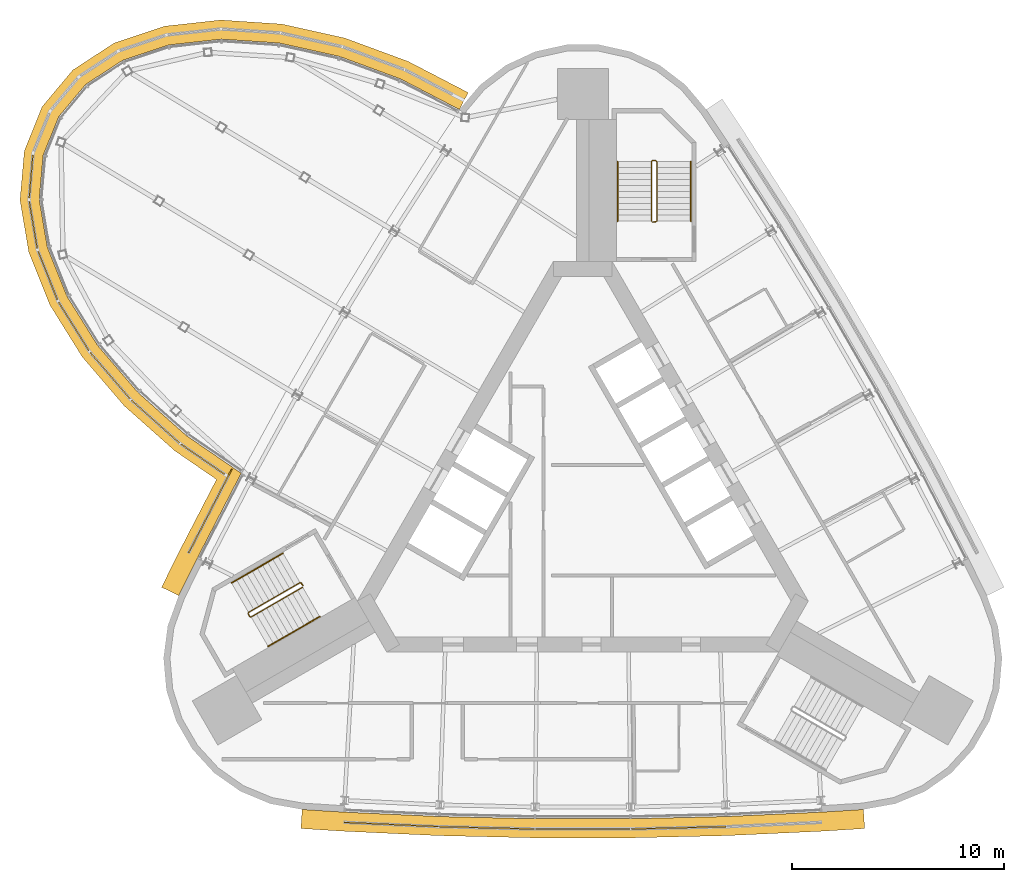
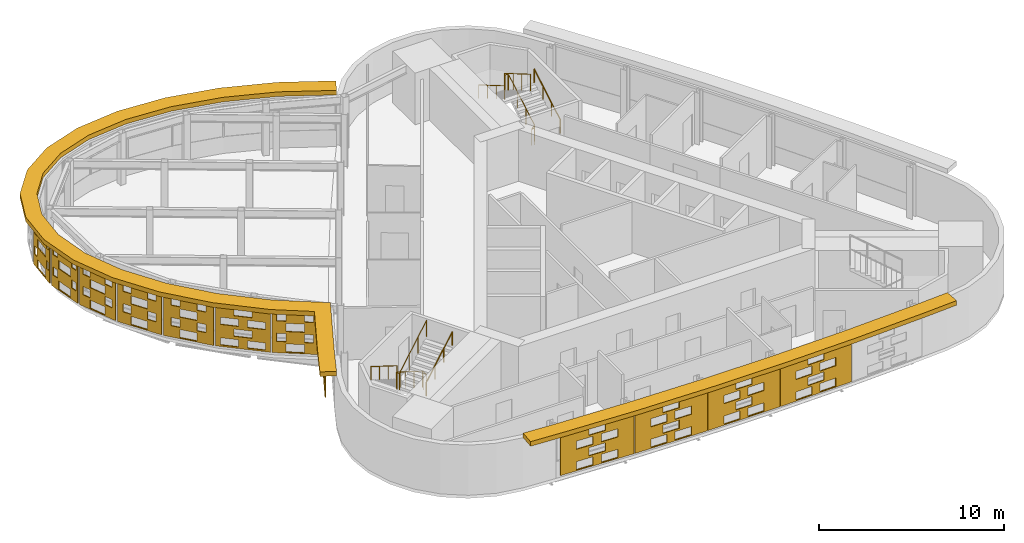
# One storey, part 12 of 13: 14 shading devices, 6 railings.
"""IFC4 building model written with IfcOpenShell, lengths in metres."""

from ifc_helpers import new_model, si_unit, direction, frame, origin, origin_2d, place, context, subcontext, project, spatial, polyline, circle, outline, extrude, material, layer, layer_set, material_profile, profile_set, type_object, element, save


model = new_model("IFC4")

# Units and contexts
model_context = context("Model", 3, precision=1e-05, world=origin(), true_north=direction((0.0, 1.0)))
body_context = subcontext(model_context, "Body", "Model", "MODEL_VIEW")
ifc_project = project(units=[si_unit("LENGTHUNIT", "METRE"), si_unit("AREAUNIT", "SQUARE_METRE"), si_unit("VOLUMEUNIT", "CUBIC_METRE"), si_unit("PLANEANGLEUNIT", "RADIAN"), si_unit("MASSUNIT", "GRAM", prefix="KILO")], contexts=[model_context])

# Site, building, storey
site_placement = place(None, origin())
site = spatial("IfcSite", under=ifc_project, at=site_placement, CompositionType="ELEMENT")
building_placement = place(site_placement, origin())
building = spatial("IfcBuilding", under=site, at=building_placement, Name="Noor Cloister Tower", CompositionType="ELEMENT")
storey_placement = place(building_placement, frame((0.0, 0.0, 270.60009765625)))
storey = spatial("IfcBuildingStorey", under=building, at=storey_placement, Name="L69", CompositionType="ELEMENT", Elevation=270.60009765625)

# Shading devices
ifc_material_1 = material(Name="Limestone", Category="masonry")
ifc_material_profile = material_profile(ifc_material_1, outline(polyline([(-2.22998046875, -1.35009765625), (2.22998046875, -1.35009765625), (2.22998046875, 1.35009765625), (-2.22998046875, 1.35009765625), (-2.22998046875, -1.35009765625)]), holes=[polyline([(-1.25, -1.282470703125), (-0.25, -1.282470703125), (-0.25, -0.742431640625), (-1.25, -0.742431640625), (-1.25, -1.282470703125)]), polyline([(0.25, -1.282470703125), (1.25, -1.282470703125), (1.25, -0.742431640625), (0.25, -0.742431640625), (0.25, -1.282470703125)]), polyline([(-0.5, -0.607421875), (0.5, -0.607421875), (0.5, -0.0673828125), (-0.5, -0.0673828125), (-0.5, -0.607421875)]), polyline([(-1.25, 0.0673828125), (-0.25, 0.0673828125), (-0.25, 0.607421875), (-1.25, 0.607421875), (-1.25, 0.0673828125)]), polyline([(0.25, 0.0673828125), (1.25, 0.0673828125), (1.25, 0.607421875), (0.25, 0.607421875), (0.25, 0.0673828125)]), polyline([(-0.5, 0.742431640625), (0.5, 0.742431640625), (0.5, 1.282470703125), (-0.5, 1.282470703125), (-0.5, 0.742431640625)])]), Name="Woven screen 35 percent open")
ifc_profile_set = profile_set([ifc_material_profile], Name="Limestone")
shading_device_type_1 = type_object("IfcShadingDeviceType", Name="SCREEN woven limestone 35 percent open", PredefinedType="USERDEFINED", material=ifc_profile_set)
shading_device_1_placement = place(storey_placement, frame((-17.51123046875, -0.3017578125, 1.849853515625), z_axis=(-0.888674000225, 0.458539552628, 0.0), x_axis=(-0.458539552628, -0.888674000225, 0.0)))
element("IfcShadingDevice", 1, at=shading_device_1_placement, inside=storey, type_object=shading_device_type_1, Name="SCREEN L69 17", ObjectType="SCREEN", PredefinedType="USERDEFINED", context=body_context, shape_type="SweptSolid", body=[
    extrude(outline(polyline([(-2.22998046875, -1.35009765625), (2.22998046875, -1.35009765625), (2.22998046875, 1.35009765625), (-2.22998046875, 1.35009765625), (-2.22998046875, -1.35009765625)]), holes=[polyline([(-1.25, -1.282470703125), (-0.25, -1.282470703125), (-0.25, -0.742431640625), (-1.25, -0.742431640625), (-1.25, -1.282470703125)]), polyline([(0.25, -1.282470703125), (1.25, -1.282470703125), (1.25, -0.742431640625), (0.25, -0.742431640625), (0.25, -1.282470703125)]), polyline([(-0.5, -0.607421875), (0.5, -0.607421875), (0.5, -0.0673828125), (-0.5, -0.0673828125), (-0.5, -0.607421875)]), polyline([(-1.25, 0.0673828125), (-0.25, 0.0673828125), (-0.25, 0.607421875), (-1.25, 0.607421875), (-1.25, 0.0673828125)]), polyline([(0.25, 0.0673828125), (1.25, 0.0673828125), (1.25, 0.607421875), (0.25, 0.607421875), (0.25, 0.0673828125)]), polyline([(-0.5, 0.742431640625), (0.5, 0.742431640625), (0.5, 1.282470703125), (-0.5, 1.282470703125), (-0.5, 0.742431640625)])]), origin(), (0.0, 0.0, 1.0), 0.06005859375),
])
shading_device_2_placement = place(storey_placement, frame((-9.01708984375, -15.014404296875, 1.849853515625), z_axis=(-0.044852774233, -0.998993607909, 0.0), x_axis=(0.998993607909, -0.044852774233, 0.0)))
element("IfcShadingDevice", 2, at=shading_device_2_placement, inside=storey, type_object=shading_device_type_1, Name="SCREEN L69 1", ObjectType="SCREEN", PredefinedType="USERDEFINED", context=body_context, shape_type="SweptSolid", body=[
    extrude(outline(polyline([(-2.22998046875, -1.35009765625), (2.22998046875, -1.35009765625), (2.22998046875, 1.35009765625), (-2.22998046875, 1.35009765625), (-2.22998046875, -1.35009765625)]), holes=[polyline([(-1.25, -1.282470703125), (-0.25, -1.282470703125), (-0.25, -0.742431640625), (-1.25, -0.742431640625), (-1.25, -1.282470703125)]), polyline([(0.25, -1.282470703125), (1.25, -1.282470703125), (1.25, -0.742431640625), (0.25, -0.742431640625), (0.25, -1.282470703125)]), polyline([(-0.5, -0.607421875), (0.5, -0.607421875), (0.5, -0.0673828125), (-0.5, -0.0673828125), (-0.5, -0.607421875)]), polyline([(-1.25, 0.0673828125), (-0.25, 0.0673828125), (-0.25, 0.607421875), (-1.25, 0.607421875), (-1.25, 0.0673828125)]), polyline([(0.25, 0.0673828125), (1.25, 0.0673828125), (1.25, 0.607421875), (0.25, 0.607421875), (0.25, 0.0673828125)]), polyline([(-0.5, 0.742431640625), (0.5, 0.742431640625), (0.5, 1.282470703125), (-0.5, 1.282470703125), (-0.5, 0.742431640625)])]), origin(), (0.0, 0.0, 1.0), 0.059814453125),
])
for number, where, z_axis, x_axis, name in (
    (3, (-4.509765625, -15.171142578125, 1.849853515625), (-0.024382992455, -0.999702690643, 0.0), (0.999702690643, -0.024382992455, 0.0), "SCREEN L69 2"),
    (4, (0.0, -15.223388671875, 1.849853515625), (0.0, -1.0, 0.0), (1.0, 0.0, 0.0), "SCREEN L69 3"),
    (5, (4.509765625, -15.171142578125, 1.849853515625), (0.024382992455, -0.999702690643, 0.0), (0.999702690643, 0.024382992455, 0.0), "SCREEN L69 4"),
):
    element("IfcShadingDevice", number, at=place(storey_placement, frame(where, z_axis=z_axis, x_axis=x_axis)), inside=storey, type_object=shading_device_type_1, Name=name, ObjectType="SCREEN", PredefinedType="USERDEFINED", context=body_context, shape_type="SweptSolid", body=[
        extrude(outline(polyline([(-2.22998046875, -1.35009765625), (2.22998046875, -1.35009765625), (2.22998046875, 1.35009765625), (-2.22998046875, 1.35009765625), (-2.22998046875, -1.35009765625)]), holes=[polyline([(-1.25, -1.282470703125), (-0.25, -1.282470703125), (-0.25, -0.742431640625), (-1.25, -0.742431640625), (-1.25, -1.282470703125)]), polyline([(0.25, -1.282470703125), (1.25, -1.282470703125), (1.25, -0.742431640625), (0.25, -0.742431640625), (0.25, -1.282470703125)]), polyline([(-0.5, -0.607421875), (0.5, -0.607421875), (0.5, -0.0673828125), (-0.5, -0.0673828125), (-0.5, -0.607421875)]), polyline([(-1.25, 0.0673828125), (-0.25, 0.0673828125), (-0.25, 0.607421875), (-1.25, 0.607421875), (-1.25, 0.0673828125)]), polyline([(0.25, 0.0673828125), (1.25, 0.0673828125), (1.25, 0.607421875), (0.25, 0.607421875), (0.25, 0.0673828125)]), polyline([(-0.5, 0.742431640625), (0.5, 0.742431640625), (0.5, 1.282470703125), (-0.5, 1.282470703125), (-0.5, 0.742431640625)])]), origin(), (0.0, 0.0, 1.0), 0.06005859375),
    ])
ifc_material_2 = material(Name="Limestone", Category="masonry")
ifc_layer = layer(ifc_material_2, 0.06005859375)
ifc_layer_set = layer_set([ifc_layer], Name="SCREEN woven limestone pod 35 percent open")
shading_device_type_2 = type_object("IfcShadingDeviceType", Name="SCREEN woven limestone pod 35 percent open", PredefinedType="USERDEFINED", material=ifc_layer_set)
shading_device_3_placement = place(storey_placement, frame((-25.9423828125, 15.4541015625, 1.849853515625), z_axis=(-0.996346649042, 0.085401141346, 0.0), x_axis=(-0.085401141346, -0.996346649042, 0.0)))
element("IfcShadingDevice", 6, at=shading_device_3_placement, inside=storey, type_object=shading_device_type_2, Name="SCREEN L69 10", ObjectType="SCREEN", PredefinedType="USERDEFINED", context=body_context, shape_type="SweptSolid", body=[
    extrude(outline(polyline([(-1.02099609375, -1.35009765625), (1.02099609375, -1.35009765625), (1.02099609375, 1.35009765625), (-1.02099609375, 1.35009765625), (-1.02099609375, -1.35009765625)]), holes=[polyline([(-0.5, -1.282470703125), (0.5, -1.282470703125), (0.5, -0.742431640625), (-0.5, -0.742431640625), (-0.5, -1.282470703125)]), polyline([(0.60009765625, -0.607421875), (0.87109375, -0.607421875), (0.87109375, -0.0673828125), (0.60009765625, -0.0673828125), (0.60009765625, -0.607421875)]), polyline([(-0.87109375, -0.607421875), (-0.60009765625, -0.607421875), (-0.60009765625, -0.0673828125), (-0.87109375, -0.0673828125), (-0.87109375, -0.607421875)]), polyline([(-0.5, 0.0673828125), (0.5, 0.0673828125), (0.5, 0.607421875), (-0.5, 0.607421875), (-0.5, 0.0673828125)]), polyline([(0.60009765625, 0.742431640625), (0.87109375, 0.742431640625), (0.87109375, 1.282470703125), (0.60009765625, 1.282470703125), (0.60009765625, 0.742431640625)]), polyline([(-0.87109375, 0.742431640625), (-0.60009765625, 0.742431640625), (-0.60009765625, 1.282470703125), (-0.87109375, 1.282470703125), (-0.87109375, 0.742431640625)])]), origin(), (0.0, 0.0, 1.0), 0.06005859375),
])
shading_device_4_placement = place(storey_placement, frame((-25.8388671875, 13.18212890625, 1.849853515625), z_axis=(-0.985949932544, -0.167041104274, 0.0), x_axis=(0.167041104274, -0.985949932544, 0.0)))
element("IfcShadingDevice", 7, at=shading_device_4_placement, inside=storey, type_object=shading_device_type_2, Name="SCREEN L69 11", ObjectType="SCREEN", PredefinedType="USERDEFINED", context=body_context, shape_type="SweptSolid", body=[
    extrude(outline(polyline([(-1.1162109375, -1.35009765625), (1.1162109375, -1.35009765625), (1.1162109375, 1.35009765625), (-1.1162109375, 1.35009765625), (-1.1162109375, -1.35009765625)]), holes=[polyline([(-0.5, -1.282470703125), (0.5, -1.282470703125), (0.5, -0.742431640625), (-0.5, -0.742431640625), (-0.5, -1.282470703125)]), polyline([(0.60009765625, -0.607421875), (0.96630859375, -0.607421875), (0.96630859375, -0.0673828125), (0.60009765625, -0.0673828125), (0.60009765625, -0.607421875)]), polyline([(-0.96630859375, -0.607421875), (-0.60009765625, -0.607421875), (-0.60009765625, -0.0673828125), (-0.96630859375, -0.0673828125), (-0.96630859375, -0.607421875)]), polyline([(-0.5, 0.0673828125), (0.5, 0.0673828125), (0.5, 0.607421875), (-0.5, 0.607421875), (-0.5, 0.0673828125)]), polyline([(0.60009765625, 0.742431640625), (0.96630859375, 0.742431640625), (0.96630859375, 1.282470703125), (0.60009765625, 1.282470703125), (0.60009765625, 0.742431640625)]), polyline([(-0.96630859375, 0.742431640625), (-0.60009765625, 0.742431640625), (-0.60009765625, 1.282470703125), (-0.96630859375, 1.282470703125), (-0.96630859375, 0.742431640625)])]), origin(), (0.0, 0.0, 1.0), 0.059814453125),
])
shading_device_5_placement = place(storey_placement, frame((-25.15869140625, 10.809814453125, 1.849853515625), z_axis=(-0.928757356094, -0.370688243003, 0.0), x_axis=(0.370688243003, -0.928757356094, 0.0)))
element("IfcShadingDevice", 8, at=shading_device_5_placement, inside=storey, type_object=shading_device_type_2, Name="SCREEN L69 12", ObjectType="SCREEN", PredefinedType="USERDEFINED", context=body_context, shape_type="SweptSolid", body=[
    extrude(outline(polyline([(-1.229736328125, -1.35009765625), (1.229736328125, -1.35009765625), (1.229736328125, 1.35009765625), (-1.229736328125, 1.35009765625), (-1.229736328125, -1.35009765625)]), holes=[polyline([(-0.5, -1.282470703125), (0.5, -1.282470703125), (0.5, -0.742431640625), (-0.5, -0.742431640625), (-0.5, -1.282470703125)]), polyline([(-1.0, -0.607421875), (-0.5, -0.607421875), (-0.5, -0.0673828125), (-1.0, -0.0673828125), (-1.0, -0.607421875)]), polyline([(0.5, -0.607421875), (1.0, -0.607421875), (1.0, -0.0673828125), (0.5, -0.0673828125), (0.5, -0.607421875)]), polyline([(-0.5, 0.0673828125), (0.5, 0.0673828125), (0.5, 0.607421875), (-0.5, 0.607421875), (-0.5, 0.0673828125)]), polyline([(-1.0, 0.742431640625), (-0.5, 0.742431640625), (-0.5, 1.282470703125), (-1.0, 1.282470703125), (-1.0, 0.742431640625)]), polyline([(0.5, 0.742431640625), (1.0, 0.742431640625), (1.0, 1.282470703125), (0.5, 1.282470703125), (0.5, 0.742431640625)])]), origin(), (0.0, 0.0, 1.0), 0.059814453125),
])
shading_device_6_placement = place(storey_placement, frame((-23.938232421875, 8.4228515625, 1.849853515625), z_axis=(-0.847998304005, -0.529998940003, 0.0), x_axis=(0.529998940003, -0.847998304005, 0.0)))
element("IfcShadingDevice", 9, at=shading_device_6_placement, inside=storey, type_object=shading_device_type_2, Name="SCREEN L69 13", ObjectType="SCREEN", PredefinedType="USERDEFINED", context=body_context, shape_type="SweptSolid", body=[
    extrude(outline(polyline([(-1.342041015625, -1.35009765625), (1.342041015625, -1.35009765625), (1.342041015625, 1.35009765625), (-1.342041015625, 1.35009765625), (-1.342041015625, -1.35009765625)]), holes=[polyline([(-0.5, -1.282470703125), (0.5, -1.282470703125), (0.5, -0.742431640625), (-0.5, -0.742431640625), (-0.5, -1.282470703125)]), polyline([(-1.0, -0.607421875), (-0.5, -0.607421875), (-0.5, -0.0673828125), (-1.0, -0.0673828125), (-1.0, -0.607421875)]), polyline([(0.5, -0.607421875), (1.0, -0.607421875), (1.0, -0.0673828125), (0.5, -0.0673828125), (0.5, -0.607421875)]), polyline([(-0.5, 0.0673828125), (0.5, 0.0673828125), (0.5, 0.607421875), (-0.5, 0.607421875), (-0.5, 0.0673828125)]), polyline([(-1.0, 0.742431640625), (-0.5, 0.742431640625), (-0.5, 1.282470703125), (-1.0, 1.282470703125), (-1.0, 0.742431640625)]), polyline([(0.5, 0.742431640625), (1.0, 0.742431640625), (1.0, 1.282470703125), (0.5, 1.282470703125), (0.5, 0.742431640625)])]), origin(), (0.0, 0.0, 1.0), 0.059814453125),
])
shading_device_7_placement = place(storey_placement, frame((-22.228759765625, 6.105224609375, 1.849853515625), z_axis=(-0.758104592341, -0.652132982659, 0.0), x_axis=(0.652132982659, -0.758104592341, 0.0)))
element("IfcShadingDevice", 10, at=shading_device_7_placement, inside=storey, type_object=shading_device_type_2, Name="SCREEN L69 14", ObjectType="SCREEN", PredefinedType="USERDEFINED", context=body_context, shape_type="SweptSolid", body=[
    extrude(outline(polyline([(-1.43798828125, -1.35009765625), (1.43798828125, -1.35009765625), (1.43798828125, 1.35009765625), (-1.43798828125, 1.35009765625), (-1.43798828125, -1.35009765625)]), holes=[polyline([(-0.5, -1.282470703125), (0.5, -1.282470703125), (0.5, -0.742431640625), (-0.5, -0.742431640625), (-0.5, -1.282470703125)]), polyline([(-1.0, -0.607421875), (-0.5, -0.607421875), (-0.5, -0.0673828125), (-1.0, -0.0673828125), (-1.0, -0.607421875)]), polyline([(0.5, -0.607421875), (1.0, -0.607421875), (1.0, -0.0673828125), (0.5, -0.0673828125), (0.5, -0.607421875)]), polyline([(-0.5, 0.0673828125), (0.5, 0.0673828125), (0.5, 0.607421875), (-0.5, 0.607421875), (-0.5, 0.0673828125)]), polyline([(-1.0, 0.742431640625), (-0.5, 0.742431640625), (-0.5, 1.282470703125), (-1.0, 1.282470703125), (-1.0, 0.742431640625)]), polyline([(0.5, 0.742431640625), (1.0, 0.742431640625), (1.0, 1.282470703125), (0.5, 1.282470703125), (0.5, 0.742431640625)])]), origin(), (0.0, 0.0, 1.0), 0.059814453125),
])
shading_device_8_placement = place(storey_placement, frame((-20.096435546875, 3.939453125, 1.849853515625), z_axis=(-0.66512331484, -0.74673353752, 0.0), x_axis=(0.74673353752, -0.66512331484, 0.0)))
element("IfcShadingDevice", 11, at=shading_device_8_placement, inside=storey, type_object=shading_device_type_2, Name="SCREEN L69 15", ObjectType="SCREEN", PredefinedType="USERDEFINED", context=body_context, shape_type="SweptSolid", body=[
    extrude(outline(polyline([(-1.50732421875, -1.35009765625), (1.50732421875, -1.35009765625), (1.50732421875, 1.35009765625), (-1.50732421875, 1.35009765625), (-1.50732421875, -1.35009765625)]), holes=[polyline([(-1.25, -1.25), (-0.25, -1.25), (-0.25, -0.775146484375), (-1.25, -0.775146484375), (-1.25, -1.25)]), polyline([(0.25, -1.25), (1.25, -1.25), (1.25, -0.775146484375), (0.25, -0.775146484375), (0.25, -1.25)]), polyline([(-0.5, -0.574951171875), (0.5, -0.574951171875), (0.5, -0.10009765625), (-0.5, -0.10009765625), (-0.5, -0.574951171875)]), polyline([(-1.25, 0.10009765625), (-0.25, 0.10009765625), (-0.25, 0.574951171875), (-1.25, 0.574951171875), (-1.25, 0.10009765625)]), polyline([(0.25, 0.10009765625), (1.25, 0.10009765625), (1.25, 0.574951171875), (0.25, 0.574951171875), (0.25, 0.10009765625)]), polyline([(-0.5, 0.775146484375), (0.5, 0.775146484375), (0.5, 1.25), (-0.5, 1.25), (-0.5, 0.775146484375)])]), origin(), (0.0, 0.0, 1.0), 0.059814453125),
])
shading_device_9_placement = place(storey_placement, frame((-17.869384765625, 2.173828125, 1.849853515625), z_axis=(-0.566874936249, -0.823803864189, 0.0), x_axis=(0.823803864189, -0.566874936249, 0.0)))
element("IfcShadingDevice", 12, at=shading_device_9_placement, inside=storey, type_object=shading_device_type_2, Name="SCREEN L69 16", ObjectType="SCREEN", PredefinedType="USERDEFINED", context=body_context, shape_type="SweptSolid", body=[
    extrude(outline(polyline([(-1.24365234375, -1.35009765625), (1.24365234375, -1.35009765625), (1.24365234375, 1.35009765625), (-1.24365234375, 1.35009765625), (-1.24365234375, -1.35009765625)]), holes=[polyline([(-0.5, -1.282470703125), (0.5, -1.282470703125), (0.5, -0.742431640625), (-0.5, -0.742431640625), (-0.5, -1.282470703125)]), polyline([(-1.0, -0.607421875), (-0.5, -0.607421875), (-0.5, -0.0673828125), (-1.0, -0.0673828125), (-1.0, -0.607421875)]), polyline([(0.5, -0.607421875), (1.0, -0.607421875), (1.0, -0.0673828125), (0.5, -0.0673828125), (0.5, -0.607421875)]), polyline([(-0.5, 0.0673828125), (0.5, 0.0673828125), (0.5, 0.607421875), (-0.5, 0.607421875), (-0.5, 0.0673828125)]), polyline([(-1.0, 0.742431640625), (-0.5, 0.742431640625), (-0.5, 1.282470703125), (-1.0, 1.282470703125), (-1.0, 0.742431640625)]), polyline([(0.5, 0.742431640625), (1.0, 0.742431640625), (1.0, 1.282470703125), (0.5, 1.282470703125), (0.5, 0.742431640625)])]), origin(), (0.0, 0.0, 1.0), 0.059814453125),
])
ifc_material_3 = material(Name="Limestone", Category="masonry")
shading_device_type_3 = type_object("IfcShadingDeviceType", Name="SUNSHADE limestone band 900", PredefinedType="USERDEFINED", material=ifc_material_3)
shading_device_10_placement = place(storey_placement, frame((0.0, 0.0, 3.2998046875)))
element("IfcShadingDevice", 13, at=shading_device_10_placement, inside=storey, type_object=shading_device_type_3, Name="SUNSHADE L69 1", ObjectType="SUNSHADE", PredefinedType="USERDEFINED", context=body_context, shape_type="SweptSolid", body=[
    extrude(outline(polyline([(-5.39501953125, 19.408447265625), (-8.220703125, 20.87548828125), (-11.197021484375, 21.972900390625), (-14.169677734375, 22.6328125), (-17.03515625, 22.8251953125), (-19.694091796875, 22.532470703125), (-22.050537109375, 21.74609375), (-24.00390625, 20.47216796875), (-25.446533203125, 18.74853515625), (-26.287841796875, 16.664306640625), (-26.491943359375, 14.341064453125), (-26.076171875, 11.89208984375), (-25.08251953125, 9.408203125), (-23.563720703125, 6.970947265625), (-21.58203125, 4.6591796875), (-19.21240234375, 2.55029296875), (-17.242431640625, 1.19775390625), (-18.947998046875, -2.100341796875), (-19.827392578125, -3.873291015625), (-19.021240234375, -4.2734375), (-18.14501953125, -2.507080078125), (-16.078125, 1.489990234375), (-18.65625, 3.260009765625), (-20.938232421875, 5.291015625), (-22.8359375, 7.5048828125), (-24.276611328125, 9.816650390625), (-25.205078125, 12.13720703125), (-25.58544921875, 14.377685546875), (-25.403076171875, 16.45166015625), (-24.6650390625, 18.27978515625), (-23.399658203125, 19.79150390625), (-21.65576171875, 20.928955078125), (-19.500244140625, 21.6484375), (-17.015869140625, 21.921875), (-14.298095703125, 21.7392578125), (-11.451416015625, 21.107421875), (-8.585205078125, 20.05078125), (-5.809814453125, 18.609619140625), (-5.39501953125, 19.408447265625)])), origin(), (0.0, 0.0, 1.0), 0.300048828125),
])
shading_device_11_placement = place(storey_placement, frame((0.0, 0.0, 3.2998046875)))
element("IfcShadingDevice", 14, at=shading_device_11_placement, inside=storey, type_object=shading_device_type_3, Name="SUNSHADE L69 2", ObjectType="SUNSHADE", PredefinedType="USERDEFINED", context=body_context, shape_type="SweptSolid", body=[
    extrude(outline(polyline([(-13.268310546875, -15.234375), (-11.29296875, -15.359130859375), (-6.780029296875, -15.568603515625), (-2.260498046875, -15.673583984375), (2.260498046875, -15.673583984375), (6.780029296875, -15.568603515625), (11.29296875, -15.359130859375), (13.268310546875, -15.234375), (13.21142578125, -14.336181640625), (11.24365234375, -14.46044921875), (6.74853515625, -14.669189453125), (2.25, -14.7734375), (-2.25, -14.7734375), (-6.74853515625, -14.669189453125), (-11.24365234375, -14.46044921875), (-13.21142578125, -14.336181640625), (-13.268310546875, -15.234375)])), origin(), (0.0, 0.0, 1.0), 0.300048828125),
])

# Railings
ifc_material_4 = material(Name="Stainless steel", Category="steel")
railing_type_1 = type_object("IfcRailingType", Name="Stair guard 1100", PredefinedType="GUARDRAIL", material=ifc_material_4)
railing_1_placement = place(storey_placement, frame((3.435546875, 13.306396484375, 0.0)))
element("IfcRailing", 15, at=railing_1_placement, inside=storey, type_object=railing_type_1, Name="Stair guard ST1 L69", PredefinedType="GUARDRAIL", context=body_context, shape_type="SweptSolid", body=[
    extrude(circle(Radius=0.02392578125, at=origin_2d()), frame((0.0, 0.0, 1.076171875), z_axis=(-1.0, 0.0, 0.0), x_axis=(0.0, -1.0, 0.0)), (0.0, 0.0, 1.0), 0.14990234375),
    extrude(circle(Radius=0.02392578125, at=origin_2d()), frame((-0.14990234375, 0.0, 1.076171875), z_axis=(0.759870394187, 0.190199549216, 0.621627795), x_axis=(-0.242814311512, 0.970072785993, 0.0)), (0.0, 0.0, 1.0), 0.26318359375),
    extrude(circle(Radius=0.02392578125, at=origin_2d()), frame((0.050048828125, 0.050048828125, 1.23974609375), z_axis=(0.0, 0.863393664356, 0.504530851732), x_axis=(-1.0, 0.0, 0.0)), (0.0, 0.0, 1.0), 3.2431640625),
    extrude(circle(Radius=0.02392578125, at=origin_2d()), frame((0.050048828125, 2.85009765625, 2.8759765625), z_axis=(-0.708833529934, 0.705375805398, 0.0), x_axis=(-0.705375805398, -0.708833529934, 0.0)), (0.0, 0.0, 1.0), 0.070556640625),
    extrude(circle(Radius=0.02392578125, at=origin_2d()), frame((0.0, 2.89990234375, 2.8759765625), z_axis=(-1.0, 0.0, 0.0), x_axis=(0.0, -1.0, 0.0)), (0.0, 0.0, 1.0), 0.14990234375),
    extrude(circle(Radius=0.02392578125, at=origin_2d()), frame((-0.14990234375, 2.89990234375, 2.8759765625), z_axis=(-0.280563532951, -0.279194930351, 0.91833234444), x_axis=(0.705375805398, -0.708833529934, 0.0)), (0.0, 0.0, 1.0), 0.178466796875),
    extrude(circle(Radius=0.02392578125, at=origin_2d()), frame((-0.199951171875, 2.85009765625, 3.03955078125), z_axis=(0.0, -0.863393664356, 0.504530851732), x_axis=(1.0, 0.0, 0.0)), (0.0, 0.0, 1.0), 3.2431640625),
    extrude(circle(Radius=0.02099609375, at=origin_2d()), origin(), (0.0, 0.0, 1.0), 1.052001953125),
    extrude(circle(Radius=0.02099609375, at=origin_2d()), frame((-0.14990234375, 0.0, 0.0)), (0.0, 0.0, 1.0), 1.052001953125),
    extrude(circle(Radius=0.02099609375, at=origin_2d()), frame((0.050048828125, 0.050048828125, 0.16357421875)), (0.0, 0.0, 1.0), 1.052001953125),
    extrude(circle(Radius=0.02099609375, at=origin_2d()), frame((0.050048828125, 0.9833984375, 0.708984375)), (0.0, 0.0, 1.0), 1.052001953125),
    extrude(circle(Radius=0.02099609375, at=origin_2d()), frame((0.050048828125, 1.916748046875, 1.25439453125)), (0.0, 0.0, 1.0), 1.052001953125),
    extrude(circle(Radius=0.02099609375, at=origin_2d()), frame((0.050048828125, 2.85009765625, 1.7998046875)), (0.0, 0.0, 1.0), 1.052001953125),
    extrude(circle(Radius=0.02099609375, at=origin_2d()), frame((0.0, 2.89990234375, 1.7998046875)), (0.0, 0.0, 1.0), 1.052001953125),
    extrude(circle(Radius=0.02099609375, at=origin_2d()), frame((-0.14990234375, 2.89990234375, 1.7998046875)), (0.0, 0.0, 1.0), 1.052001953125),
    extrude(circle(Radius=0.02099609375, at=origin_2d()), frame((-0.199951171875, 2.85009765625, 1.963623046875)), (0.0, 0.0, 1.0), 1.052001953125),
    extrude(circle(Radius=0.02099609375, at=origin_2d()), frame((-0.199951171875, 1.916748046875, 2.509033203125)), (0.0, 0.0, 1.0), 1.052001953125),
    extrude(circle(Radius=0.02099609375, at=origin_2d()), frame((-0.199951171875, 0.9833984375, 3.054443359375)), (0.0, 0.0, 1.0), 1.052001953125),
    extrude(circle(Radius=0.02099609375, at=origin_2d()), frame((-0.199951171875, 0.050048828125, 3.599853515625)), (0.0, 0.0, 1.0), 1.052001953125),
])
railing_2_placement = place(storey_placement, frame((-13.241455078125, -3.677734375, 0.0)))
element("IfcRailing", 16, at=railing_2_placement, inside=storey, type_object=railing_type_1, Name="Stair guard ST2 L69", PredefinedType="GUARDRAIL", context=body_context, shape_type="SweptSolid", body=[
    extrude(circle(Radius=0.02392578125, at=origin_2d()), frame((0.0, 0.0, 1.076171875), z_axis=(0.499112439033, -0.866537231285, 0.0), x_axis=(0.866537231285, 0.499112439033, 0.0)), (0.0, 0.0, 1.0), 0.150146484375),
    extrude(circle(Radius=0.02392578125, at=origin_2d()), frame((0.074951171875, -0.130126953125, 1.076171875), z_axis=(-0.544565797804, 0.563119998752, 0.621565731736), x_axis=(-0.718850276695, -0.695164929852, 0.0)), (0.0, 0.0, 1.0), 0.26318359375),
    extrude(circle(Radius=0.02392578125, at=origin_2d()), frame((-0.068359375, 0.01806640625, 1.23974609375), z_axis=(-0.74771821388, -0.431677027627, 0.504551698492), x_axis=(0.49998411664, -0.866034573852, 0.0)), (0.0, 0.0, 1.0), 3.242919921875),
    extrude(circle(Radius=0.02392578125, at=origin_2d()), frame((-2.4931640625, -1.3818359375, 2.8759765625), z_axis=(-0.258736085224, -0.965948051503, 0.0), x_axis=(0.965948051503, -0.258736085224, 0.0)), (0.0, 0.0, 1.0), 0.07080078125),
    extrude(circle(Radius=0.02392578125, at=origin_2d()), frame((-2.511474609375, -1.4501953125, 2.8759765625), z_axis=(0.499816412211, -0.866131372301, 0.0), x_axis=(0.866131372301, 0.499816412211, 0.0)), (0.0, 0.0, 1.0), 0.14990234375),
    extrude(circle(Radius=0.02392578125, at=origin_2d()), frame((-2.4365234375, -1.580078125, 2.8759765625), z_axis=(0.383070988865, -0.102608300589, 0.918002262601), x_axis=(0.258736085224, 0.965948051503, 0.0)), (0.0, 0.0, 1.0), 0.178466796875),
    extrude(circle(Radius=0.02392578125, at=origin_2d()), frame((-2.3681640625, -1.598388671875, 3.03955078125), z_axis=(0.747693913401, 0.431738279637, 0.504535300807), x_axis=(-0.500049511043, 0.865996816683, 0.0)), (0.0, 0.0, 1.0), 3.2431640625),
    extrude(circle(Radius=0.02099609375, at=origin_2d()), origin(), (0.0, 0.0, 1.0), 1.052001953125),
    extrude(circle(Radius=0.02099609375, at=origin_2d()), frame((0.074951171875, -0.130126953125, 0.0)), (0.0, 0.0, 1.0), 1.052001953125),
    extrude(circle(Radius=0.02099609375, at=origin_2d()), frame((-0.068359375, 0.01806640625, 0.16357421875)), (0.0, 0.0, 1.0), 1.052001953125),
    extrude(circle(Radius=0.02099609375, at=origin_2d()), frame((-0.876708984375, -0.448486328125, 0.708984375)), (0.0, 0.0, 1.0), 1.052001953125),
    extrude(circle(Radius=0.02099609375, at=origin_2d()), frame((-1.684814453125, -0.915283203125, 1.25439453125)), (0.0, 0.0, 1.0), 1.052001953125),
    extrude(circle(Radius=0.02099609375, at=origin_2d()), frame((-2.4931640625, -1.3818359375, 1.7998046875)), (0.0, 0.0, 1.0), 1.052001953125),
    extrude(circle(Radius=0.02099609375, at=origin_2d()), frame((-2.511474609375, -1.4501953125, 1.7998046875)), (0.0, 0.0, 1.0), 1.052001953125),
    extrude(circle(Radius=0.02099609375, at=origin_2d()), frame((-2.4365234375, -1.580078125, 1.7998046875)), (0.0, 0.0, 1.0), 1.052001953125),
    extrude(circle(Radius=0.02099609375, at=origin_2d()), frame((-2.3681640625, -1.598388671875, 1.963623046875)), (0.0, 0.0, 1.0), 1.052001953125),
    extrude(circle(Radius=0.02099609375, at=origin_2d()), frame((-1.559814453125, -1.131591796875, 2.509033203125)), (0.0, 0.0, 1.0), 1.052001953125),
    extrude(circle(Radius=0.02099609375, at=origin_2d()), frame((-0.751708984375, -0.6650390625, 3.054443359375)), (0.0, 0.0, 1.0), 1.052001953125),
    extrude(circle(Radius=0.02099609375, at=origin_2d()), frame((0.056640625, -0.1982421875, 3.599853515625)), (0.0, 0.0, 1.0), 1.052001953125),
])
ifc_material_5 = material(Name="Stainless steel", Category="steel")
railing_type_2 = type_object("IfcRailingType", Name="Stair handrail 900", PredefinedType="HANDRAIL", material=ifc_material_5)
railing_3_placement = place(storey_placement, frame((5.085693359375, 13.3564453125, 0.16357421875)))
element("IfcRailing", 17, at=railing_3_placement, inside=storey, type_object=railing_type_2, Name="Stair handrail ST1 L69 1", PredefinedType="HANDRAIL", context=body_context, shape_type="SweptSolid", body=[
    extrude(circle(Radius=0.02392578125, at=origin_2d()), frame((0.0, 0.0, 0.8759765625), z_axis=(0.0, 0.863393664356, 0.504530851732), x_axis=(-1.0, 0.0, 0.0)), (0.0, 0.0, 1.0), 3.2431640625),
    extrude(circle(Radius=0.02099609375, at=origin_2d()), origin(), (0.0, 0.0, 1.0), 0.851806640625),
    extrude(circle(Radius=0.02099609375, at=origin_2d()), frame((0.0, 0.933349609375, 0.54541015625)), (0.0, 0.0, 1.0), 0.851806640625),
    extrude(circle(Radius=0.02099609375, at=origin_2d()), frame((0.0, 1.86669921875, 1.0908203125)), (0.0, 0.0, 1.0), 0.851806640625),
    extrude(circle(Radius=0.02099609375, at=origin_2d()), frame((0.0, 2.800048828125, 1.63623046875)), (0.0, 0.0, 1.0), 0.851806640625),
])
railing_4_placement = place(storey_placement, frame((1.6357421875, 16.156494140625, 1.963623046875)))
element("IfcRailing", 18, at=railing_4_placement, inside=storey, type_object=railing_type_2, Name="Stair handrail ST1 L69 2", PredefinedType="HANDRAIL", context=body_context, shape_type="SweptSolid", body=[
    extrude(circle(Radius=0.02392578125, at=origin_2d()), frame((0.0, 0.0, 0.8759765625), z_axis=(0.0, -0.863393664356, 0.504530851732), x_axis=(1.0, 0.0, 0.0)), (0.0, 0.0, 1.0), 3.2431640625),
    extrude(circle(Radius=0.02099609375, at=origin_2d()), origin(), (0.0, 0.0, 1.0), 0.851806640625),
    extrude(circle(Radius=0.02099609375, at=origin_2d()), frame((0.0, -0.933349609375, 0.54541015625)), (0.0, 0.0, 1.0), 0.851806640625),
    extrude(circle(Radius=0.02099609375, at=origin_2d()), frame((0.0, -1.86669921875, 1.0908203125)), (0.0, 0.0, 1.0), 0.851806640625),
    extrude(circle(Radius=0.02099609375, at=origin_2d()), frame((0.0, -2.800048828125, 1.63623046875)), (0.0, 0.0, 1.0), 0.851806640625),
])
railing_5_placement = place(storey_placement, frame((-14.10986328125, -2.27392578125, 0.16357421875)))
element("IfcRailing", 19, at=railing_5_placement, inside=storey, type_object=railing_type_2, Name="Stair handrail ST2 L69 1", PredefinedType="HANDRAIL", context=body_context, shape_type="SweptSolid", body=[
    extrude(circle(Radius=0.02392578125, at=origin_2d()), frame((0.0, 0.0, 0.8759765625), z_axis=(-0.74771821388, -0.431677027627, 0.504551698492), x_axis=(0.49998411664, -0.866034573852, 0.0)), (0.0, 0.0, 1.0), 3.242919921875),
    extrude(circle(Radius=0.02099609375, at=origin_2d()), origin(), (0.0, 0.0, 1.0), 0.851806640625),
    extrude(circle(Radius=0.02099609375, at=origin_2d()), frame((-0.808349609375, -0.466552734375, 0.54541015625)), (0.0, 0.0, 1.0), 0.851806640625),
    extrude(circle(Radius=0.02099609375, at=origin_2d()), frame((-1.616455078125, -0.933349609375, 1.0908203125)), (0.0, 0.0, 1.0), 0.851806640625),
    extrude(circle(Radius=0.02099609375, at=origin_2d()), frame((-2.4248046875, -1.39990234375, 1.63623046875)), (0.0, 0.0, 1.0), 0.851806640625),
])
railing_6_placement = place(storey_placement, frame((-14.8095703125, -6.66162109375, 1.963623046875)))
element("IfcRailing", 20, at=railing_6_placement, inside=storey, type_object=railing_type_2, Name="Stair handrail ST2 L69 2", PredefinedType="HANDRAIL", context=body_context, shape_type="SweptSolid", body=[
    extrude(circle(Radius=0.02392578125, at=origin_2d()), frame((0.0, 0.0, 0.8759765625), z_axis=(0.74771821388, 0.431677027627, 0.504551698492), x_axis=(-0.49998411664, 0.866034573852, 0.0)), (0.0, 0.0, 1.0), 3.242919921875),
    extrude(circle(Radius=0.02099609375, at=origin_2d()), origin(), (0.0, 0.0, 1.0), 0.851806640625),
    extrude(circle(Radius=0.02099609375, at=origin_2d()), frame((0.808349609375, 0.466552734375, 0.54541015625)), (0.0, 0.0, 1.0), 0.851806640625),
    extrude(circle(Radius=0.02099609375, at=origin_2d()), frame((1.616455078125, 0.933349609375, 1.0908203125)), (0.0, 0.0, 1.0), 0.851806640625),
    extrude(circle(Radius=0.02099609375, at=origin_2d()), frame((2.4248046875, 1.39990234375, 1.63623046875)), (0.0, 0.0, 1.0), 0.851806640625),
])

save(model, "model.ifc")
